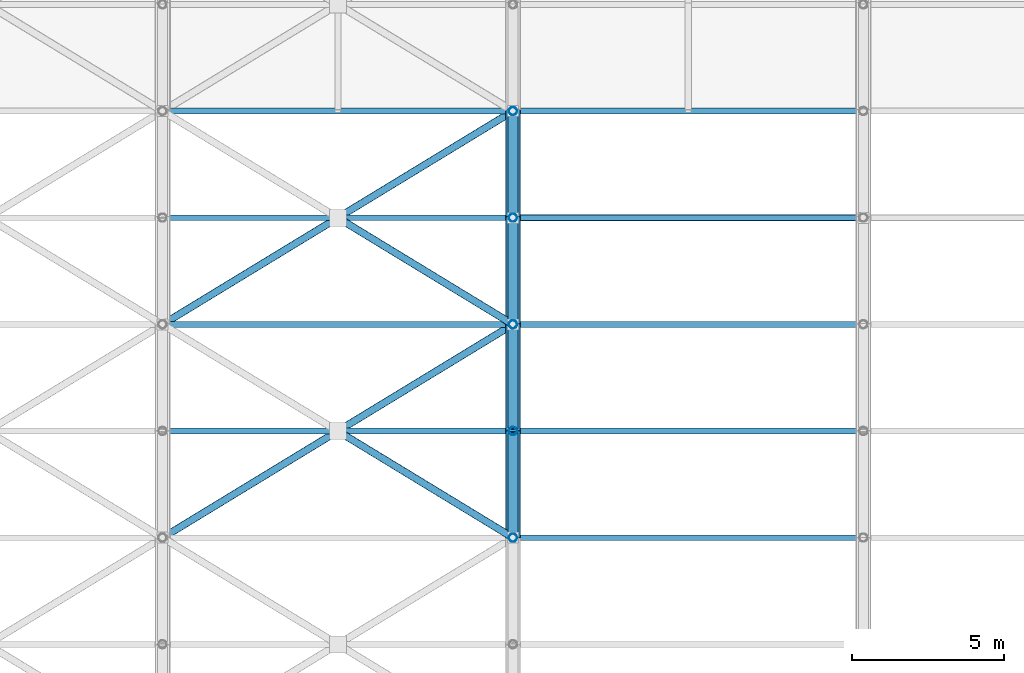
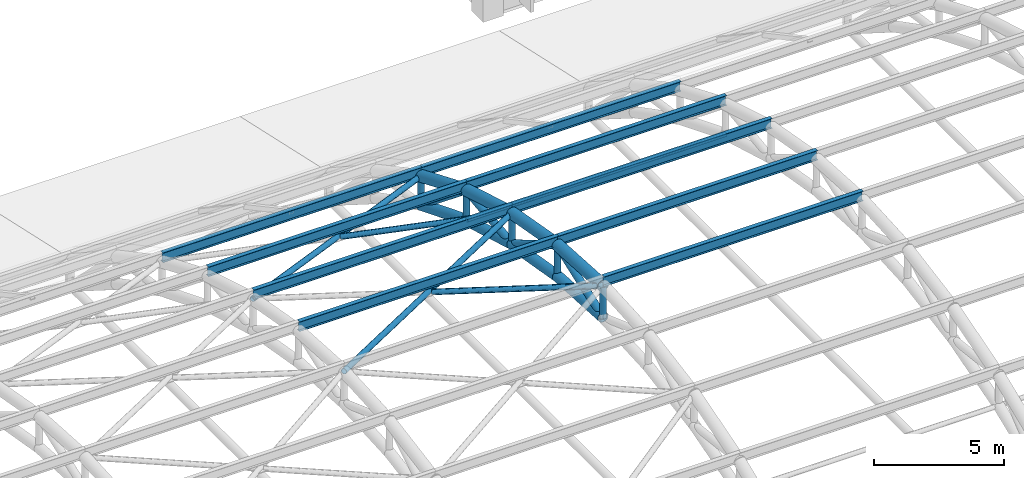
# One storey, part 60 of 154: 31 members.
"""IFC4 building model written with IfcOpenShell, lengths in metres."""

from ifc_helpers import new_model, si_unit, direction, frame, origin, origin_2d, place, context, subcontext, project, spatial, hollow_circle, i_section, extrude, material, material_profile, profile_set, type_object, element, save


model = new_model("IFC4")

# Units and contexts
model_context = context("Model", 3, precision=1e-05, world=origin(), true_north=direction((0.0, 1.0)))
body_context = subcontext(model_context, "Body", "Model", "MODEL_VIEW")
ifc_project = project(units=[si_unit("LENGTHUNIT", "METRE"), si_unit("AREAUNIT", "SQUARE_METRE"), si_unit("VOLUMEUNIT", "CUBIC_METRE"), si_unit("PLANEANGLEUNIT", "RADIAN"), si_unit("MASSUNIT", "GRAM", prefix="KILO")], contexts=[model_context])

# Site, building, storey
site_placement = place(None, origin())
site = spatial("IfcSite", under=ifc_project, at=site_placement, CompositionType="ELEMENT")
building_placement = place(site_placement, origin())
building = spatial("IfcBuilding", under=site, at=building_placement, Name="Ologun Quay Terminus", CompositionType="ELEMENT")
storey_placement = place(building_placement, frame((0.0, 0.0, 13.800048828125)))
storey = spatial("IfcBuildingStorey", under=building, at=storey_placement, Name="L03", CompositionType="ELEMENT", Elevation=13.800048828125)

# Members
ifc_material_1 = material(Name="Steel S355", Category="steel")
ifc_material_profile_1 = material_profile(ifc_material_1, hollow_circle(Radius=0.136474609375, WallThickness=0.010009765625, at=origin_2d()), Name="CHS 273x10")
ifc_profile_set_1 = profile_set([ifc_material_profile_1], Name="Steel S355")
member_type_1 = type_object("IfcMemberType", Name="Arch Truss Vertical Post CHS273", PredefinedType="STRUT", material=ifc_profile_set_1)
member_1_placement = place(storey_placement, frame((103.5, 57.0, 7.239990234375), z_axis=(0.0, 0.0, 1.0), x_axis=(1.0, 0.0, 0.0)))
element("IfcMember", 1, at=member_1_placement, inside=storey, type_object=member_type_1, Name="AW2 Arch Web Post 10-N6", PredefinedType="STRUT", context=body_context, shape_type="SweptSolid", body=[
    extrude(hollow_circle(Radius=0.136474609375, WallThickness=0.010009765625, at=origin_2d()), origin(), (0.0, 0.0, 1.0), 1.47998046875),
])
member_2_placement = place(storey_placement, frame((103.5, 60.5, 7.038818359375), z_axis=(0.0, 0.0, 1.0), x_axis=(1.0, 0.0, 0.0)))
element("IfcMember", 2, at=member_2_placement, inside=storey, type_object=member_type_1, Name="AW2 Arch Web Post 10-N7", PredefinedType="STRUT", context=body_context, shape_type="SweptSolid", body=[
    extrude(hollow_circle(Radius=0.136474609375, WallThickness=0.010009765625, at=origin_2d()), origin(), (0.0, 0.0, 1.0), 1.47216796875),
])
member_3_placement = place(storey_placement, frame((103.5, 64.0, 6.435546875), z_axis=(0.0, 0.0, 1.0), x_axis=(1.0, 0.0, 0.0)))
element("IfcMember", 3, at=member_3_placement, inside=storey, type_object=member_type_1, Name="AW2 Arch Web Post 10-N8", PredefinedType="STRUT", context=body_context, shape_type="SweptSolid", body=[
    extrude(hollow_circle(Radius=0.136474609375, WallThickness=0.010009765625, at=origin_2d()), origin(), (0.0, 0.0, 1.0), 1.44873046875),
])
member_4_placement = place(storey_placement, frame((103.5, 67.5, 5.429931640625), z_axis=(0.0, 0.0, 1.0), x_axis=(1.0, 0.0, 0.0)))
element("IfcMember", 4, at=member_4_placement, inside=storey, type_object=member_type_1, Name="AW2 Arch Web Post 10-N9", PredefinedType="STRUT", context=body_context, shape_type="SweptSolid", body=[
    extrude(hollow_circle(Radius=0.136474609375, WallThickness=0.010009765625, at=origin_2d()), origin(), (0.0, 0.0, 1.0), 1.409912109375),
])
member_5_placement = place(storey_placement, frame((103.5, 71.0, 4.022216796875), z_axis=(0.0, 0.0, 1.0), x_axis=(1.0, 0.0, 0.0)))
element("IfcMember", 5, at=member_5_placement, inside=storey, type_object=member_type_1, Name="AW2 Arch Web Post 10-N10", PredefinedType="STRUT", context=body_context, shape_type="SweptSolid", body=[
    extrude(hollow_circle(Radius=0.136474609375, WallThickness=0.010009765625, at=origin_2d()), origin(), (0.0, 0.0, 1.0), 1.35546875),
])
ifc_material_2 = material(Name="Steel S355", Category="steel")
ifc_material_profile_2 = material_profile(ifc_material_2, hollow_circle(Radius=0.161865234375, WallThickness=0.010009765625, at=origin_2d()), Name="CHS 323.9x10")
ifc_profile_set_2 = profile_set([ifc_material_profile_2], Name="Steel S355")
member_type_2 = type_object("IfcMemberType", Name="Arch Truss Web Diagonal CHS323", PredefinedType="BRACE", material=ifc_profile_set_2)
member_6_placement = place(storey_placement, frame((103.5, 57.0, 7.239990234375), z_axis=(0.0, 0.939942650142, 0.34133241048), x_axis=(-1.0, 0.0, 0.0)))
element("IfcMember", 6, at=member_6_placement, inside=storey, type_object=member_type_2, Name="AW1 Arch Web Diagonal 10-P7", PredefinedType="BRACE", context=body_context, shape_type="SweptSolid", body=[
    extrude(hollow_circle(Radius=0.161865234375, WallThickness=0.010009765625, at=origin_2d()), origin(), (0.0, 0.0, 1.0), 3.7236328125),
])
member_7_placement = place(storey_placement, frame((103.5, 60.5, 8.510986328125), z_axis=(0.0, 0.860144332958, -0.510050709715), x_axis=(-1.0, 0.0, 0.0)))
element("IfcMember", 7, at=member_7_placement, inside=storey, type_object=member_type_2, Name="AW1 Arch Web Diagonal 10-P8", PredefinedType="BRACE", context=body_context, shape_type="SweptSolid", body=[
    extrude(hollow_circle(Radius=0.161865234375, WallThickness=0.010009765625, at=origin_2d()), origin(), (0.0, 0.0, 1.0), 4.069091796875),
])
member_8_placement = place(storey_placement, frame((103.5, 64.0, 6.435546875), z_axis=(0.0, 0.993394361, 0.114750353084), x_axis=(-1.0, 0.0, 0.0)))
element("IfcMember", 8, at=member_8_placement, inside=storey, type_object=member_type_2, Name="AW1 Arch Web Diagonal 10-P9", PredefinedType="BRACE", context=body_context, shape_type="SweptSolid", body=[
    extrude(hollow_circle(Radius=0.161865234375, WallThickness=0.010009765625, at=origin_2d()), origin(), (0.0, 0.0, 1.0), 3.523193359375),
])
member_9_placement = place(storey_placement, frame((103.5, 67.5, 6.83984375), z_axis=(0.0, 0.77895148125, -0.627084196785), x_axis=(-1.0, 0.0, 0.0)))
element("IfcMember", 9, at=member_9_placement, inside=storey, type_object=member_type_2, Name="AW1 Arch Web Diagonal 10-P10", PredefinedType="BRACE", context=body_context, shape_type="SweptSolid", body=[
    extrude(hollow_circle(Radius=0.161865234375, WallThickness=0.010009765625, at=origin_2d()), origin(), (0.0, 0.0, 1.0), 4.4931640625),
])
ifc_material_3 = material(Name="Steel S355", Category="steel")
ifc_material_profile_3 = material_profile(ifc_material_3, hollow_circle(Radius=0.228515625, WallThickness=0.01611328125, at=origin_2d()), Name="CHS 457x16")
ifc_profile_set_3 = profile_set([ifc_material_profile_3], Name="Steel S355")
member_type_3 = type_object("IfcMemberType", Name="Parabolic Arch Bottom Chord CHS457", PredefinedType="CHORD", material=ifc_profile_set_3)
member_10_placement = place(storey_placement, frame((103.5, 57.0, 7.239990234375), z_axis=(0.0, 0.998352239869, -0.057382969144), x_axis=(-1.0, 0.0, 0.0)))
element("IfcMember", 10, at=member_10_placement, inside=storey, type_object=member_type_3, Name="AC2 Arch Bottom Chord 10-P7", PredefinedType="CHORD", context=body_context, shape_type="SweptSolid", body=[
    extrude(hollow_circle(Radius=0.228515625, WallThickness=0.01611328125, at=origin_2d()), origin(), (0.0, 0.0, 1.0), 3.505859375),
])
member_11_placement = place(storey_placement, frame((103.5, 60.5, 7.038818359375), z_axis=(0.0, 0.985468449185, -0.16985857547), x_axis=(-1.0, 0.0, 0.0)))
element("IfcMember", 11, at=member_11_placement, inside=storey, type_object=member_type_3, Name="AC2 Arch Bottom Chord 10-P8", PredefinedType="CHORD", context=body_context, shape_type="SweptSolid", body=[
    extrude(hollow_circle(Radius=0.228515625, WallThickness=0.01611328125, at=origin_2d()), origin(), (0.0, 0.0, 1.0), 3.551513671875),
])
member_12_placement = place(storey_placement, frame((103.5, 64.0, 6.435546875), z_axis=(0.0, 0.961115578425, -0.276146419331), x_axis=(-1.0, 0.0, 0.0)))
element("IfcMember", 12, at=member_12_placement, inside=storey, type_object=member_type_3, Name="AC2 Arch Bottom Chord 10-P9", PredefinedType="CHORD", context=body_context, shape_type="SweptSolid", body=[
    extrude(hollow_circle(Radius=0.228515625, WallThickness=0.01611328125, at=origin_2d()), origin(), (0.0, 0.0, 1.0), 3.6416015625),
])
member_13_placement = place(storey_placement, frame((103.5, 67.5, 5.429931640625), z_axis=(0.0, 0.92776983497, -0.373152962363), x_axis=(-1.0, 0.0, 0.0)))
element("IfcMember", 13, at=member_13_placement, inside=storey, type_object=member_type_3, Name="AC2 Arch Bottom Chord 10-P10", PredefinedType="CHORD", context=body_context, shape_type="SweptSolid", body=[
    extrude(hollow_circle(Radius=0.228515625, WallThickness=0.01611328125, at=origin_2d()), origin(), (0.0, 0.0, 1.0), 3.7724609375),
])
ifc_material_4 = material(Name="Steel S355", Category="steel")
ifc_material_profile_4 = material_profile(ifc_material_4, hollow_circle(Radius=0.25390625, WallThickness=0.01611328125, at=origin_2d()), Name="CHS 508x16")
ifc_profile_set_4 = profile_set([ifc_material_profile_4], Name="Steel S355")
member_type_4 = type_object("IfcMemberType", Name="Parabolic Arch Top Chord CHS508", PredefinedType="CHORD", material=ifc_profile_set_4)
member_14_placement = place(storey_placement, frame((103.5, 57.0, 8.719970703125), z_axis=(0.0, 0.998222121157, -0.0596036646), x_axis=(-1.0, 0.0, 0.0)))
element("IfcMember", 14, at=member_14_placement, inside=storey, type_object=member_type_4, Name="Arch Top Chord 10-P7", PredefinedType="CHORD", context=body_context, shape_type="SweptSolid", body=[
    extrude(hollow_circle(Radius=0.25390625, WallThickness=0.01611328125, at=origin_2d()), origin(), (0.0, 0.0, 1.0), 3.50634765625),
])
member_15_placement = place(storey_placement, frame((103.5, 60.5, 8.510986328125), z_axis=(0.0, 0.984344289591, -0.176256402859), x_axis=(-1.0, 0.0, 0.0)))
element("IfcMember", 15, at=member_15_placement, inside=storey, type_object=member_type_4, Name="Arch Top Chord 10-P8", PredefinedType="CHORD", context=body_context, shape_type="SweptSolid", body=[
    extrude(hollow_circle(Radius=0.25390625, WallThickness=0.01611328125, at=origin_2d()), origin(), (0.0, 0.0, 1.0), 3.5556640625),
])
member_16_placement = place(storey_placement, frame((103.5, 64.0, 7.88427734375), z_axis=(0.0, 0.958244712677, -0.285949419701), x_axis=(-1.0, 0.0, 0.0)))
element("IfcMember", 16, at=member_16_placement, inside=storey, type_object=member_type_4, Name="Arch Top Chord 10-P9", PredefinedType="CHORD", context=body_context, shape_type="SweptSolid", body=[
    extrude(hollow_circle(Radius=0.25390625, WallThickness=0.01611328125, at=origin_2d()), origin(), (0.0, 0.0, 1.0), 3.652587890625),
])
member_17_placement = place(storey_placement, frame((103.5, 67.5, 6.83984375), z_axis=(0.0, 0.922718523726, -0.385474416755), x_axis=(-1.0, 0.0, 0.0)))
element("IfcMember", 17, at=member_17_placement, inside=storey, type_object=member_type_4, Name="Arch Top Chord 10-P10", PredefinedType="CHORD", context=body_context, shape_type="SweptSolid", body=[
    extrude(hollow_circle(Radius=0.25390625, WallThickness=0.01611328125, at=origin_2d()), origin(), (0.0, 0.0, 1.0), 3.793212890625),
])
ifc_material_5 = material(Name="Steel S355", Category="steel")
ifc_material_profile_5 = material_profile(ifc_material_5, hollow_circle(Radius=0.109619140625, WallThickness=0.008056640625, at=origin_2d()), Name="CHS 219.1x8")
ifc_profile_set_5 = profile_set([ifc_material_profile_5], Name="Steel S355")
member_type_5 = type_object("IfcMemberType", Name="Roof Plan Wind Brace Collector CHS219", PredefinedType="STRUT", material=ifc_profile_set_5)
member_18_placement = place(storey_placement, frame((103.5, 67.5, 5.429931640625), z_axis=(1.0, 0.0, 0.0), x_axis=(0.0, 1.0, 0.0)))
element("IfcMember", 18, at=member_18_placement, inside=storey, type_object=member_type_5, Name="WB2 Collector Strut B10-K9", PredefinedType="STRUT", context=body_context, shape_type="SweptSolid", body=[
    extrude(hollow_circle(Radius=0.109619140625, WallThickness=0.008056640625, at=origin_2d()), origin(), (0.0, 0.0, 1.0), 11.5),
])
ifc_material_6 = material(Name="Steel S355", Category="steel")
ifc_material_profile_6 = material_profile(ifc_material_6, hollow_circle(Radius=0.122314453125, WallThickness=0.008056640625, at=origin_2d()), Name="CHS 244.5x8")
ifc_profile_set_6 = profile_set([ifc_material_profile_6], Name="Steel S355")
member_type_6 = type_object("IfcMemberType", Name="Roof Plan Wind Brace Primary CHS244", PredefinedType="BRACE", material=ifc_profile_set_6)
member_19_placement = place(storey_placement, frame((92.0, 57.0, 8.719970703125), z_axis=(0.852557618704, 0.518948115733, -0.061954499168), x_axis=(-0.519946946896, 0.854198555614, 0.0)))
element("IfcMember", 19, at=member_19_placement, inside=storey, type_object=member_type_6, Name="Roof Wind Brace A B9-K6", PredefinedType="BRACE", context=body_context, shape_type="SweptSolid", body=[
    extrude(hollow_circle(Radius=0.122314453125, WallThickness=0.008056640625, at=origin_2d()), origin(), (0.0, 0.0, 1.0), 13.48876953125),
])
member_20_placement = place(storey_placement, frame((97.869384765625, 60.42724609375, 8.310791015625), z_axis=(0.852563238847, -0.518938678703, 0.061956206405), x_axis=(0.51993754691, 0.854204277274, 0.0)))
element("IfcMember", 20, at=member_20_placement, inside=storey, type_object=member_type_6, Name="Roof Wind Brace B2 B9-K6", PredefinedType="BRACE", context=body_context, shape_type="SweptSolid", body=[
    extrude(hollow_circle(Radius=0.122314453125, WallThickness=0.008056640625, at=origin_2d()), origin(), (0.0, 0.0, 1.0), 6.604248046875),
])
member_21_placement = place(storey_placement, frame((92.0, 64.0, 7.88427734375), z_axis=(0.83976735311, 0.511162736676, -0.18303947466), x_axis=(-0.519946946896, 0.854198555614, 0.0)))
element("IfcMember", 21, at=member_21_placement, inside=storey, type_object=member_type_6, Name="Roof Wind Brace A B9-K8", PredefinedType="BRACE", context=body_context, shape_type="SweptSolid", body=[
    extrude(hollow_circle(Radius=0.122314453125, WallThickness=0.008056640625, at=origin_2d()), origin(), (0.0, 0.0, 1.0), 13.6943359375),
])
member_22_placement = place(storey_placement, frame((97.86767578125, 67.428466796875, 6.65673828125), z_axis=(0.839763706767, -0.511174760907, 0.183022623217), x_axis=(0.519957518446, 0.854192120668, 0.0)))
element("IfcMember", 22, at=member_22_placement, inside=storey, type_object=member_type_6, Name="Roof Wind Brace B2 B9-K8", PredefinedType="BRACE", context=body_context, shape_type="SweptSolid", body=[
    extrude(hollow_circle(Radius=0.122314453125, WallThickness=0.008056640625, at=origin_2d()), origin(), (0.0, 0.0, 1.0), 6.70703125),
])
ifc_material_7 = material(Name="Steel S355", Category="steel")
ifc_material_profile_7 = material_profile(ifc_material_7, i_section(OverallWidth=0.1904296875, OverallDepth=0.45703125, WebThickness=0.009033203125, FlangeThickness=0.014404296875, at=origin_2d()), Name="UKB 457x191x74")
ifc_profile_set_7 = profile_set([ifc_material_profile_7], Name="Steel S355")
member_type_7 = type_object("IfcMemberType", Name="Train Shed Primary Roof Purlin UKB457", PredefinedType="PURLIN", material=ifc_profile_set_7)
for number, where, z_axis, x_axis, name in (
    (23, (92.0, 60.5, 8.739501953125), (1.0, 0.0, 0.0), (0.0, 1.0, 0.0), "PR1 Roof Purlin B9-N7"),
    (24, (92.0, 64.0, 8.11279296875), (1.0, 0.0, 0.0), (0.0, 1.0, 0.0), "PR1 Roof Purlin B9-N8"),
    (25, (92.0, 67.5, 7.068359375), (1.0, 0.0, 0.0), (0.0, 1.0, 0.0), "PR1 Roof Purlin B9-N9"),
    (26, (92.0, 71.0, 5.606201171875), (1.0, 0.0, 0.0), (0.0, 1.0, 0.0), "PR1 Roof Purlin B9-N10"),
    (27, (103.5, 57.0, 8.948486328125), (1.0, 0.0, 0.0), (0.0, 1.0, 0.0), "PR1 Roof Purlin B10-N6"),
    (28, (103.5, 60.5, 8.739501953125), (1.0, 0.0, 0.0), (0.0, 1.0, 0.0), "PR1 Roof Purlin B10-N7"),
    (29, (103.5, 64.0, 8.11279296875), (1.0, 0.0, 0.0), (0.0, 1.0, 0.0), "PR1 Roof Purlin B10-N8"),
    (30, (103.5, 67.5, 7.068359375), (1.0, 0.0, 0.0), (0.0, 1.0, 0.0), "PR1 Roof Purlin B10-N9"),
    (31, (103.5, 71.0, 5.606201171875), (1.0, 0.0, 0.0), (0.0, 1.0, 0.0), "PR1 Roof Purlin B10-N10"),
):
    element("IfcMember", number, at=place(storey_placement, frame(where, z_axis=z_axis, x_axis=x_axis)), inside=storey, type_object=member_type_7, Name=name, PredefinedType="PURLIN", context=body_context, shape_type="SweptSolid", body=[
        extrude(i_section(OverallWidth=0.1904296875, OverallDepth=0.45703125, WebThickness=0.009033203125, FlangeThickness=0.014404296875, at=origin_2d()), origin(), (0.0, 0.0, 1.0), 11.5),
    ])

save(model, "model.ifc")
